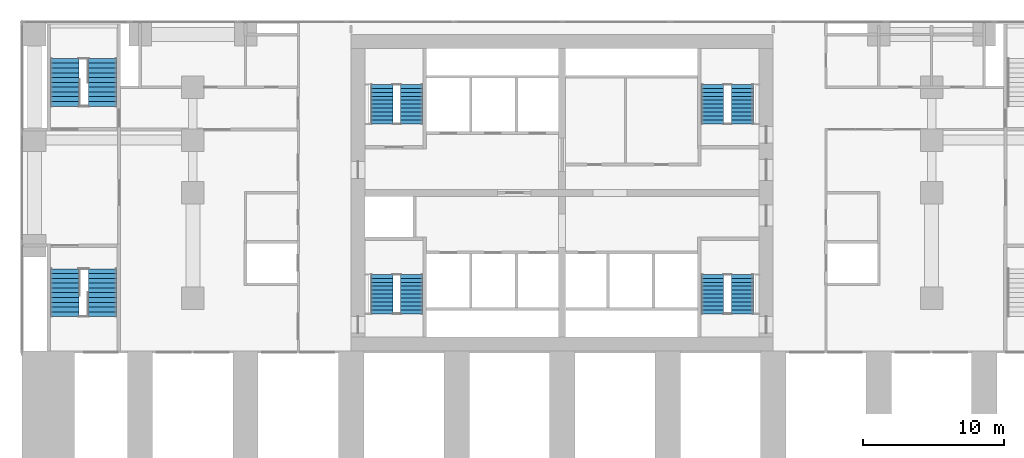
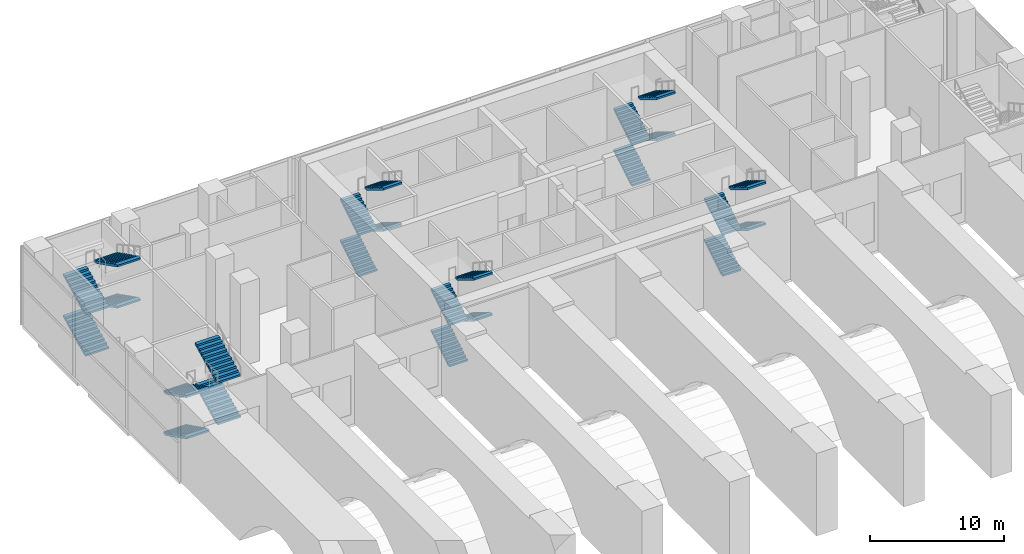
# One storey, part 9 of 15: 24 stair flights, 6 elements without a shape of their own.
"""IFC4 building model written with IfcOpenShell, lengths in metres."""

import ifcopenshell
import ifcopenshell.guid

model = None  # the IFC model being written
_history = None  # IfcOwnerHistory: only IFC2X3 demands one
_inside = {}  # id of a spatial element -> (the spatial element, [elements in it])
_under = {}  # id of a project, library or spatial element -> (it, [spatial elements below it])
_declared = {}  # id of a project -> (the project, [libraries it declares])
_typed = {}  # id of a type object -> (the type object, [elements of that type])
_made_of = {}  # id of a material, layer set ... -> (it, [elements and type objects made of it])


def new_model(schema):
    """Start an empty IFC model of exactly this schema.

    Asked for "IFC4X3", IfcOpenShell would pick the latest addendum, in which some entities
    have other attributes; the version numbers below select the first issue.
    IFC2X3 requires an IfcOwnerHistory on every rooted entity: one is made here for all.
    """
    global model, _history
    if schema == "IFC4X3":
        model = ifcopenshell.file(schema_version=(4, 3, 0, 0))
    else:
        model = ifcopenshell.file(schema=schema)
    _inside.clear()
    _under.clear()
    _declared.clear()
    _typed.clear()
    _made_of.clear()
    _history = None
    if model.schema == "IFC2X3":
        org = make("IfcOrganization", Name="unknown")
        user = make(
            "IfcPersonAndOrganization",
            ThePerson=make("IfcPerson", FamilyName="unknown"),
            TheOrganization=org,
        )
        app = make(
            "IfcApplication",
            ApplicationDeveloper=org,
            Version="unknown",
            ApplicationFullName="unknown",
            ApplicationIdentifier="unknown",
        )
        _history = make(
            "IfcOwnerHistory",
            OwningUser=user,
            OwningApplication=app,
            ChangeAction="ADDED",
            CreationDate=0,
        )
    return model


def make(cls, **values):
    """One entity of the class cls with the attributes given. An attribute that is None is left unset."""
    return model.create_entity(
        cls, **{name: value for name, value in values.items() if value is not None}
    )


def rooted(cls, **values):
    """An entity with a GlobalId (a new one), such as an element, a storey or a relation."""
    return make(cls, GlobalId=ifcopenshell.guid.new(), OwnerHistory=_history, **values)


def si_unit(unit_type, name, prefix=None):
    """IfcSIUnit, for example si_unit("LENGTHUNIT", "METRE", prefix="MILLI")."""
    return make("IfcSIUnit", UnitType=unit_type, Prefix=prefix, Name=name)


def assignment(units):
    """IfcUnitAssignment: the units of a project."""
    return None if units is None else make("IfcUnitAssignment", Units=units)


def point(xyz):
    """IfcCartesianPoint."""
    return None if xyz is None else make("IfcCartesianPoint", Coordinates=xyz)


def direction(xyz):
    """IfcDirection."""
    return None if xyz is None else make("IfcDirection", DirectionRatios=xyz)


def frame(location, z_axis=None, x_axis=None):
    """IfcAxis2Placement3D, a coordinate frame: its origin and axes. An axis left out is left unset."""
    return make(
        "IfcAxis2Placement3D",
        Location=point(location),
        Axis=direction(z_axis),
        RefDirection=direction(x_axis),
    )


def origin():
    """The frame at (0, 0, 0) with its axes left unset."""
    return frame((0.0, 0.0, 0.0))


def place(relative_to, where):
    """IfcLocalPlacement: puts the frame where relative to a parent placement (None: the world)."""
    return make(
        "IfcLocalPlacement", PlacementRelTo=relative_to, RelativePlacement=where
    )


def context(
    kind, dimensions, precision=None, world=None, true_north=None, identifier=None
):
    """IfcGeometricRepresentationContext, for example the 3D "Model" context."""
    return make(
        "IfcGeometricRepresentationContext",
        ContextIdentifier=identifier,
        ContextType=kind,
        CoordinateSpaceDimension=dimensions,
        Precision=precision,
        WorldCoordinateSystem=world,
        TrueNorth=true_north,
    )


def subcontext(parent, identifier, kind, view, scale=None):
    """IfcGeometricRepresentationSubContext, for example "Body" below "Model"."""
    return make(
        "IfcGeometricRepresentationSubContext",
        ContextIdentifier=identifier,
        ContextType=kind,
        ParentContext=parent,
        TargetScale=scale,
        TargetView=view,
    )


def project(units=None, contexts=None):
    """IfcProject with its units and contexts."""
    return rooted(
        "IfcProject",
        Name="project",
        RepresentationContexts=contexts,
        UnitsInContext=assignment(units),
    )


def spatial(cls, under=None, at=None, **own):
    """A site, building, storey or space (cls), placed at a placement, below another one or the project."""
    s = rooted(cls, ObjectPlacement=at, **own)
    if under is not None:
        _under.setdefault(under.id(), (under, []))[1].append(s)
    return s


def polyline(points):
    """IfcPolyline through the points."""
    return make("IfcPolyline", Points=[point(p) for p in points])


def outline(outer, holes=None, kind="AREA"):
    """IfcArbitraryClosedProfileDef: a profile drawn as a closed curve; with holes, ...WithVoids."""
    if holes is None:
        return make("IfcArbitraryClosedProfileDef", ProfileType=kind, OuterCurve=outer)
    return make(
        "IfcArbitraryProfileDefWithVoids",
        ProfileType=kind,
        OuterCurve=outer,
        InnerCurves=holes,
    )


def extrude(swept, where, along, depth):
    """IfcExtrudedAreaSolid: the profile swept, set in the frame where, extruded along a direction by depth."""
    return make(
        "IfcExtrudedAreaSolid",
        SweptArea=swept,
        Position=where,
        ExtrudedDirection=direction(along),
        Depth=depth,
    )


def shape(context_of_items, identifier, shape_type, items):
    """IfcShapeRepresentation: the items that make up one representation, for example the "Body"."""
    return make(
        "IfcShapeRepresentation",
        ContextOfItems=context_of_items,
        RepresentationIdentifier=identifier,
        RepresentationType=shape_type,
        Items=items,
    )


def material(Name=None, Category=None):
    """IfcMaterial."""
    return make("IfcMaterial", Name=Name, Category=Category)


def made_of(thing, what):
    """Note that an element or type object is made of a material, layer set ...; save() writes the relation."""
    if what is not None:
        _made_of.setdefault(what.id(), (what, []))[1].append(thing)
    return thing


def type_object(cls, material=None, **own):
    """A type object (cls), such as IfcWallType, which elements share."""
    return made_of(rooted(cls, **own), material)


def element(
    cls,
    number,
    at=None,
    inside=None,
    cuts=None,
    type_object=None,
    material=None,
    context=None,
    identifier="Body",
    shape_type=None,
    held_by="IfcProductDefinitionShape",
    body=None,
    shapes=None,
    **own,
):
    """One element of the class cls, such as IfcWall. Its Tag is "e" and its number.

    at: its placement. inside: the storey or other place that contains it. cuts: it is an
    opening in that element (IfcRelVoidsElement). A single representation is given by context,
    identifier, shape_type and body (its items); several are given by shapes. held_by: the class
    of the entity that holds the representations. save() writes the other relations.
    """
    e = rooted(cls, Tag="e%d" % number, ObjectPlacement=at, **own)
    if body is not None:
        shapes = [shape(context, identifier, shape_type, body)]
    if shapes is not None:
        e.Representation = make(held_by, Representations=shapes)
    if inside is not None:
        _inside.setdefault(inside.id(), (inside, []))[1].append(e)
    if cuts is not None:
        rooted(
            "IfcRelVoidsElement", RelatingBuildingElement=cuts, RelatedOpeningElement=e
        )
    if type_object is not None:
        _typed.setdefault(type_object.id(), (type_object, []))[1].append(e)
    return made_of(e, material)


def aggregate(whole, parts):
    """IfcRelAggregates: a whole, such as a stair, and the parts it consists of."""
    return rooted("IfcRelAggregates", RelatingObject=whole, RelatedObjects=parts)


def save(model, path):
    """Write the relations noted so far, then the file.

    IfcRelAggregates (storeys below a building ...), IfcRelContainedInSpatialStructure (elements
    in a storey), IfcRelDefinesByType, IfcRelAssociatesMaterial and IfcRelDeclares: one each for
    every whole, place, type object, material and project.
    """
    for whole, parts in _under.values():
        aggregate(whole, parts)
    for where, things in _inside.values():
        rooted(
            "IfcRelContainedInSpatialStructure",
            RelatedElements=things,
            RelatingStructure=where,
        )
    for kind, things in _typed.values():
        rooted("IfcRelDefinesByType", RelatedObjects=things, RelatingType=kind)
    for what, things in _made_of.values():
        rooted("IfcRelAssociatesMaterial", RelatedObjects=things, RelatingMaterial=what)
    for by, libraries in _declared.values():
        rooted("IfcRelDeclares", RelatingContext=by, RelatedDefinitions=libraries)
    model.write(path)


model = new_model("IFC4")

# Units and contexts
model_context = context("Model", 3, precision=1e-05, world=origin(), true_north=direction((0.0, 1.0)))
body_context = subcontext(model_context, "Body", "Model", "MODEL_VIEW")
ifc_project = project(units=[si_unit("LENGTHUNIT", "METRE"), si_unit("AREAUNIT", "SQUARE_METRE"), si_unit("VOLUMEUNIT", "CUBIC_METRE"), si_unit("PLANEANGLEUNIT", "RADIAN"), si_unit("MASSUNIT", "GRAM", prefix="KILO")], contexts=[model_context])

# Site, building, storey
site_placement = place(None, origin())
site = spatial("IfcSite", under=ifc_project, at=site_placement, CompositionType="ELEMENT")
building_placement = place(site_placement, origin())
building = spatial("IfcBuilding", under=site, at=building_placement, Name="Pilkhan Gate Tower", CompositionType="ELEMENT")
storey_placement = place(building_placement, frame((0.0, 0.0, 16.5)))
storey = spatial("IfcBuildingStorey", under=building, at=storey_placement, Name="L02", CompositionType="ELEMENT", Elevation=16.5)

# Stair, stair flights
ifc_material = material(Name="Concrete C40/50 precast", Category="concrete")
stair_type_1 = type_object("IfcStairType", Name="Stair PS1 170x340", PredefinedType="HALF_TURN_STAIR", material=ifc_material)
stair_1_placement = place(storey_placement, origin())
stair_1 = element("IfcStair", 1, at=stair_1_placement, inside=storey, type_object=stair_type_1, Name="Stair PS1 L02", PredefinedType="HALF_TURN_STAIR")
stair_flight_type_1 = type_object("IfcStairFlightType", Name="Stair flight PS1 170x340x11", PredefinedType="STRAIGHT", material=ifc_material)
stair_flight_1_placement = place(storey_placement, frame((39.64990234375, 88.64990234375, 0.0), z_axis=(0.0, 0.0, 1.0), x_axis=(0.0, 1.0, 0.0)))
stair_flight_1 = element("IfcStairFlight", 2, at=stair_flight_1_placement, type_object=stair_flight_type_1, Name="PS1 flight 1", NumberOfRisers=11, NumberOfTreads=10, PredefinedType="STRAIGHT", RiserHeight=0.170454545, TreadLength=0.34, context=body_context, shape_type="SweptSolid", body=[
    extrude(outline(polyline([(0.0, 0.0), (0.0, 0.17041015625), (0.340087890625, 0.17041015625), (0.340087890625, 0.3408203125), (0.679931640625, 0.3408203125), (0.679931640625, 0.511474609375), (1.02001953125, 0.511474609375), (1.02001953125, 0.681884765625), (1.360107421875, 0.681884765625), (1.360107421875, 0.852294921875), (1.699951171875, 0.852294921875), (1.699951171875, 1.022705078125), (2.0400390625, 1.022705078125), (2.0400390625, 1.193115234375), (2.3798828125, 1.193115234375), (2.3798828125, 1.363525390625), (2.719970703125, 1.363525390625), (2.719970703125, 1.5341796875), (3.06005859375, 1.5341796875), (3.06005859375, 1.70458984375), (3.39990234375, 1.70458984375), (3.39990234375, 1.875), (3.39990234375, 1.536865234375), (0.33447265625, 0.0), (0.0, 0.0)])), frame((0.0, 1.0, 0.0), z_axis=(0.0, -1.0, 0.0), x_axis=(1.0, 0.0, 0.0)), (0.0, 0.0, 1.0), 2.0),
])
stair_flight_2_placement = place(storey_placement, frame((42.35009765625, 92.050048828125, 1.875), z_axis=(0.0, 0.0, 1.0), x_axis=(0.0, -1.0, 0.0)))
stair_flight_2 = element("IfcStairFlight", 3, at=stair_flight_2_placement, type_object=stair_flight_type_1, Name="PS1 flight 2", NumberOfRisers=11, NumberOfTreads=10, PredefinedType="STRAIGHT", RiserHeight=0.170454545, TreadLength=0.34, context=body_context, shape_type="SweptSolid", body=[
    extrude(outline(polyline([(0.0, 0.0), (0.0, 0.17041015625), (0.340087890625, 0.17041015625), (0.340087890625, 0.3408203125), (0.679931640625, 0.3408203125), (0.679931640625, 0.511474609375), (1.02001953125, 0.511474609375), (1.02001953125, 0.681884765625), (1.360107421875, 0.681884765625), (1.360107421875, 0.852294921875), (1.699951171875, 0.852294921875), (1.699951171875, 1.022705078125), (2.0400390625, 1.022705078125), (2.0400390625, 1.193115234375), (2.3798828125, 1.193115234375), (2.3798828125, 1.363525390625), (2.719970703125, 1.363525390625), (2.719970703125, 1.5341796875), (3.06005859375, 1.5341796875), (3.06005859375, 1.70458984375), (3.39990234375, 1.70458984375), (3.39990234375, 1.875), (3.39990234375, 1.536865234375), (0.33447265625, 0.0), (0.0, 0.0)])), frame((0.0, 1.0, 0.0), z_axis=(0.0, -1.0, 0.0), x_axis=(1.0, 0.0, 0.0)), (0.0, 0.0, 1.0), 2.0),
])
stair_flight_3_placement = place(storey_placement, frame((39.64990234375, 88.64990234375, 3.75), z_axis=(0.0, 0.0, 1.0), x_axis=(0.0, 1.0, 0.0)))
stair_flight_3 = element("IfcStairFlight", 4, at=stair_flight_3_placement, type_object=stair_flight_type_1, Name="PS1 flight 3", NumberOfRisers=11, NumberOfTreads=10, PredefinedType="STRAIGHT", RiserHeight=0.170454545, TreadLength=0.34, context=body_context, shape_type="SweptSolid", body=[
    extrude(outline(polyline([(0.0, 0.0), (0.0, 0.17041015625), (0.340087890625, 0.17041015625), (0.340087890625, 0.3408203125), (0.679931640625, 0.3408203125), (0.679931640625, 0.511474609375), (1.02001953125, 0.511474609375), (1.02001953125, 0.681884765625), (1.360107421875, 0.681884765625), (1.360107421875, 0.852294921875), (1.699951171875, 0.852294921875), (1.699951171875, 1.022705078125), (2.0400390625, 1.022705078125), (2.0400390625, 1.193115234375), (2.3798828125, 1.193115234375), (2.3798828125, 1.363525390625), (2.719970703125, 1.363525390625), (2.719970703125, 1.5341796875), (3.06005859375, 1.5341796875), (3.06005859375, 1.70458984375), (3.39990234375, 1.70458984375), (3.39990234375, 1.875), (3.39990234375, 1.536865234375), (0.33447265625, 0.0), (0.0, 0.0)])), frame((0.0, 1.0, 0.0), z_axis=(0.0, -1.0, 0.0), x_axis=(1.0, 0.0, 0.0)), (0.0, 0.0, 1.0), 2.0),
])
stair_flight_4_placement = place(storey_placement, frame((42.35009765625, 92.050048828125, 5.625), z_axis=(0.0, 0.0, 1.0), x_axis=(0.0, -1.0, 0.0)))
stair_flight_4 = element("IfcStairFlight", 5, at=stair_flight_4_placement, type_object=stair_flight_type_1, Name="PS1 flight 4", NumberOfRisers=11, NumberOfTreads=10, PredefinedType="STRAIGHT", RiserHeight=0.170454545, TreadLength=0.34, context=body_context, shape_type="SweptSolid", body=[
    extrude(outline(polyline([(0.0, 0.0), (0.0, 0.17041015625), (0.340087890625, 0.17041015625), (0.340087890625, 0.3408203125), (0.679931640625, 0.3408203125), (0.679931640625, 0.511474609375), (1.02001953125, 0.511474609375), (1.02001953125, 0.681884765625), (1.360107421875, 0.681884765625), (1.360107421875, 0.852294921875), (1.699951171875, 0.852294921875), (1.699951171875, 1.022705078125), (2.0400390625, 1.022705078125), (2.0400390625, 1.193115234375), (2.3798828125, 1.193115234375), (2.3798828125, 1.363525390625), (2.719970703125, 1.363525390625), (2.719970703125, 1.5341796875), (3.06005859375, 1.5341796875), (3.06005859375, 1.70458984375), (3.39990234375, 1.70458984375), (3.39990234375, 1.875), (3.39990234375, 1.536865234375), (0.33447265625, 0.0), (0.0, 0.0)])), frame((0.0, 1.0, 0.0), z_axis=(0.0, -1.0, 0.0), x_axis=(1.0, 0.0, 0.0)), (0.0, 0.0, 1.0), 2.0),
])
aggregate(stair_1, [stair_flight_1, stair_flight_2, stair_flight_3, stair_flight_4])

stair_type_2 = type_object("IfcStairType", Name="Stair PS3 170x340", PredefinedType="HALF_TURN_STAIR", material=ifc_material)
stair_2_placement = place(storey_placement, origin())
stair_2 = element("IfcStair", 6, at=stair_2_placement, inside=storey, type_object=stair_type_2, Name="Stair PS3 L02", PredefinedType="HALF_TURN_STAIR")
stair_flight_type_2 = type_object("IfcStairFlightType", Name="Stair flight PS3 170x340x11", PredefinedType="STRAIGHT", material=ifc_material)
stair_flight_5_placement = place(storey_placement, frame((39.64990234375, 77.10009765625, 0.0), z_axis=(0.0, 0.0, 1.0), x_axis=(0.0, -1.0, 0.0)))
stair_flight_5 = element("IfcStairFlight", 7, at=stair_flight_5_placement, type_object=stair_flight_type_2, Name="PS3 flight 1", NumberOfRisers=11, NumberOfTreads=10, PredefinedType="STRAIGHT", RiserHeight=0.170454545, TreadLength=0.34, context=body_context, shape_type="SweptSolid", body=[
    extrude(outline(polyline([(0.0, 0.0), (0.0, 0.17041015625), (0.340087890625, 0.17041015625), (0.340087890625, 0.3408203125), (0.679931640625, 0.3408203125), (0.679931640625, 0.511474609375), (1.02001953125, 0.511474609375), (1.02001953125, 0.681884765625), (1.360107421875, 0.681884765625), (1.360107421875, 0.852294921875), (1.699951171875, 0.852294921875), (1.699951171875, 1.022705078125), (2.0400390625, 1.022705078125), (2.0400390625, 1.193115234375), (2.3798828125, 1.193115234375), (2.3798828125, 1.363525390625), (2.719970703125, 1.363525390625), (2.719970703125, 1.5341796875), (3.06005859375, 1.5341796875), (3.06005859375, 1.70458984375), (3.39990234375, 1.70458984375), (3.39990234375, 1.875), (3.39990234375, 1.536865234375), (0.33447265625, 0.0), (0.0, 0.0)])), frame((0.0, 1.0, 0.0), z_axis=(0.0, -1.0, 0.0), x_axis=(1.0, 0.0, 0.0)), (0.0, 0.0, 1.0), 2.0),
])
stair_flight_6_placement = place(storey_placement, frame((42.35009765625, 73.699951171875, 1.875), z_axis=(0.0, 0.0, 1.0), x_axis=(0.0, 1.0, 0.0)))
stair_flight_6 = element("IfcStairFlight", 8, at=stair_flight_6_placement, type_object=stair_flight_type_2, Name="PS3 flight 2", NumberOfRisers=11, NumberOfTreads=10, PredefinedType="STRAIGHT", RiserHeight=0.170454545, TreadLength=0.34, context=body_context, shape_type="SweptSolid", body=[
    extrude(outline(polyline([(0.0, 0.0), (0.0, 0.17041015625), (0.340087890625, 0.17041015625), (0.340087890625, 0.3408203125), (0.679931640625, 0.3408203125), (0.679931640625, 0.511474609375), (1.02001953125, 0.511474609375), (1.02001953125, 0.681884765625), (1.360107421875, 0.681884765625), (1.360107421875, 0.852294921875), (1.699951171875, 0.852294921875), (1.699951171875, 1.022705078125), (2.0400390625, 1.022705078125), (2.0400390625, 1.193115234375), (2.3798828125, 1.193115234375), (2.3798828125, 1.363525390625), (2.719970703125, 1.363525390625), (2.719970703125, 1.5341796875), (3.06005859375, 1.5341796875), (3.06005859375, 1.70458984375), (3.39990234375, 1.70458984375), (3.39990234375, 1.875), (3.39990234375, 1.536865234375), (0.33447265625, 0.0), (0.0, 0.0)])), frame((0.0, 1.0, 0.0), z_axis=(0.0, -1.0, 0.0), x_axis=(1.0, 0.0, 0.0)), (0.0, 0.0, 1.0), 2.0),
])
stair_flight_7_placement = place(storey_placement, frame((39.64990234375, 77.10009765625, 3.75), z_axis=(0.0, 0.0, 1.0), x_axis=(0.0, -1.0, 0.0)))
stair_flight_7 = element("IfcStairFlight", 9, at=stair_flight_7_placement, type_object=stair_flight_type_2, Name="PS3 flight 3", NumberOfRisers=11, NumberOfTreads=10, PredefinedType="STRAIGHT", RiserHeight=0.170454545, TreadLength=0.34, context=body_context, shape_type="SweptSolid", body=[
    extrude(outline(polyline([(0.0, 0.0), (0.0, 0.17041015625), (0.340087890625, 0.17041015625), (0.340087890625, 0.3408203125), (0.679931640625, 0.3408203125), (0.679931640625, 0.511474609375), (1.02001953125, 0.511474609375), (1.02001953125, 0.681884765625), (1.360107421875, 0.681884765625), (1.360107421875, 0.852294921875), (1.699951171875, 0.852294921875), (1.699951171875, 1.022705078125), (2.0400390625, 1.022705078125), (2.0400390625, 1.193115234375), (2.3798828125, 1.193115234375), (2.3798828125, 1.363525390625), (2.719970703125, 1.363525390625), (2.719970703125, 1.5341796875), (3.06005859375, 1.5341796875), (3.06005859375, 1.70458984375), (3.39990234375, 1.70458984375), (3.39990234375, 1.875), (3.39990234375, 1.536865234375), (0.33447265625, 0.0), (0.0, 0.0)])), frame((0.0, 1.0, 0.0), z_axis=(0.0, -1.0, 0.0), x_axis=(1.0, 0.0, 0.0)), (0.0, 0.0, 1.0), 2.0),
])
stair_flight_8_placement = place(storey_placement, frame((42.35009765625, 73.699951171875, 5.625), z_axis=(0.0, 0.0, 1.0), x_axis=(0.0, 1.0, 0.0)))
stair_flight_8 = element("IfcStairFlight", 10, at=stair_flight_8_placement, type_object=stair_flight_type_2, Name="PS3 flight 4", NumberOfRisers=11, NumberOfTreads=10, PredefinedType="STRAIGHT", RiserHeight=0.170454545, TreadLength=0.34, context=body_context, shape_type="SweptSolid", body=[
    extrude(outline(polyline([(0.0, 0.0), (0.0, 0.17041015625), (0.340087890625, 0.17041015625), (0.340087890625, 0.3408203125), (0.679931640625, 0.3408203125), (0.679931640625, 0.511474609375), (1.02001953125, 0.511474609375), (1.02001953125, 0.681884765625), (1.360107421875, 0.681884765625), (1.360107421875, 0.852294921875), (1.699951171875, 0.852294921875), (1.699951171875, 1.022705078125), (2.0400390625, 1.022705078125), (2.0400390625, 1.193115234375), (2.3798828125, 1.193115234375), (2.3798828125, 1.363525390625), (2.719970703125, 1.363525390625), (2.719970703125, 1.5341796875), (3.06005859375, 1.5341796875), (3.06005859375, 1.70458984375), (3.39990234375, 1.70458984375), (3.39990234375, 1.875), (3.39990234375, 1.536865234375), (0.33447265625, 0.0), (0.0, 0.0)])), frame((0.0, 1.0, 0.0), z_axis=(0.0, -1.0, 0.0), x_axis=(1.0, 0.0, 0.0)), (0.0, 0.0, 1.0), 2.0),
])
aggregate(stair_2, [stair_flight_5, stair_flight_6, stair_flight_7, stair_flight_8])

stair_type_3 = type_object("IfcStairType", Name="Stair ST1 170x280", PredefinedType="HALF_TURN_STAIR", material=ifc_material)
stair_3_placement = place(storey_placement, origin())
stair_3 = element("IfcStair", 11, at=stair_3_placement, inside=storey, type_object=stair_type_3, Name="Stair ST1 L02", PredefinedType="HALF_TURN_STAIR")
stair_flight_type_3 = type_object("IfcStairFlightType", Name="Stair flight ST1 170x280x11", PredefinedType="STRAIGHT", material=ifc_material)
stair_flight_9_placement = place(storey_placement, frame((85.68994140625, 73.89990234375, 0.0), z_axis=(0.0, 0.0, 1.0), x_axis=(0.0, 1.0, 0.0)))
stair_flight_9 = element("IfcStairFlight", 12, at=stair_flight_9_placement, type_object=stair_flight_type_3, Name="ST1 flight 1", NumberOfRisers=11, NumberOfTreads=10, PredefinedType="STRAIGHT", RiserHeight=0.170454545, TreadLength=0.28, context=body_context, shape_type="SweptSolid", body=[
    extrude(outline(polyline([(0.0, 0.0), (0.0, 0.17041015625), (0.280029296875, 0.17041015625), (0.280029296875, 0.3408203125), (0.56005859375, 0.3408203125), (0.56005859375, 0.511474609375), (0.840087890625, 0.511474609375), (0.840087890625, 0.681884765625), (1.1201171875, 0.681884765625), (1.1201171875, 0.852294921875), (1.39990234375, 0.852294921875), (1.39990234375, 1.022705078125), (1.679931640625, 1.022705078125), (1.679931640625, 1.193115234375), (1.9599609375, 1.193115234375), (1.9599609375, 1.363525390625), (2.239990234375, 1.363525390625), (2.239990234375, 1.5341796875), (2.52001953125, 1.5341796875), (2.52001953125, 1.70458984375), (2.800048828125, 1.70458984375), (2.800048828125, 1.875), (2.800048828125, 1.529052734375), (0.288330078125, 0.0), (0.0, 0.0)])), frame((0.0, 0.7900390625, 0.0), z_axis=(0.0, -1.0, 0.0), x_axis=(1.0, 0.0, 0.0)), (0.0, 0.0, 1.0), 1.580078125),
])
stair_flight_10_placement = place(storey_placement, frame((87.81005859375, 76.699951171875, 1.875), z_axis=(0.0, 0.0, 1.0), x_axis=(0.0, -1.0, 0.0)))
stair_flight_10 = element("IfcStairFlight", 13, at=stair_flight_10_placement, type_object=stair_flight_type_3, Name="ST1 flight 2", NumberOfRisers=11, NumberOfTreads=10, PredefinedType="STRAIGHT", RiserHeight=0.170454545, TreadLength=0.28, context=body_context, shape_type="SweptSolid", body=[
    extrude(outline(polyline([(0.0, 0.0), (0.0, 0.17041015625), (0.280029296875, 0.17041015625), (0.280029296875, 0.3408203125), (0.56005859375, 0.3408203125), (0.56005859375, 0.511474609375), (0.840087890625, 0.511474609375), (0.840087890625, 0.681884765625), (1.1201171875, 0.681884765625), (1.1201171875, 0.852294921875), (1.39990234375, 0.852294921875), (1.39990234375, 1.022705078125), (1.679931640625, 1.022705078125), (1.679931640625, 1.193115234375), (1.9599609375, 1.193115234375), (1.9599609375, 1.363525390625), (2.239990234375, 1.363525390625), (2.239990234375, 1.5341796875), (2.52001953125, 1.5341796875), (2.52001953125, 1.70458984375), (2.800048828125, 1.70458984375), (2.800048828125, 1.875), (2.800048828125, 1.529052734375), (0.288330078125, 0.0), (0.0, 0.0)])), frame((0.0, 0.7900390625, 0.0), z_axis=(0.0, -1.0, 0.0), x_axis=(1.0, 0.0, 0.0)), (0.0, 0.0, 1.0), 1.580078125),
])
stair_flight_11_placement = place(storey_placement, frame((85.68994140625, 73.89990234375, 3.75), z_axis=(0.0, 0.0, 1.0), x_axis=(0.0, 1.0, 0.0)))
stair_flight_11 = element("IfcStairFlight", 14, at=stair_flight_11_placement, type_object=stair_flight_type_3, Name="ST1 flight 3", NumberOfRisers=11, NumberOfTreads=10, PredefinedType="STRAIGHT", RiserHeight=0.170454545, TreadLength=0.28, context=body_context, shape_type="SweptSolid", body=[
    extrude(outline(polyline([(0.0, 0.0), (0.0, 0.17041015625), (0.280029296875, 0.17041015625), (0.280029296875, 0.3408203125), (0.56005859375, 0.3408203125), (0.56005859375, 0.511474609375), (0.840087890625, 0.511474609375), (0.840087890625, 0.681884765625), (1.1201171875, 0.681884765625), (1.1201171875, 0.852294921875), (1.39990234375, 0.852294921875), (1.39990234375, 1.022705078125), (1.679931640625, 1.022705078125), (1.679931640625, 1.193115234375), (1.9599609375, 1.193115234375), (1.9599609375, 1.363525390625), (2.239990234375, 1.363525390625), (2.239990234375, 1.5341796875), (2.52001953125, 1.5341796875), (2.52001953125, 1.70458984375), (2.800048828125, 1.70458984375), (2.800048828125, 1.875), (2.800048828125, 1.529052734375), (0.288330078125, 0.0), (0.0, 0.0)])), frame((0.0, 0.7900390625, 0.0), z_axis=(0.0, -1.0, 0.0), x_axis=(1.0, 0.0, 0.0)), (0.0, 0.0, 1.0), 1.580078125),
])
stair_flight_12_placement = place(storey_placement, frame((87.81005859375, 76.699951171875, 5.625), z_axis=(0.0, 0.0, 1.0), x_axis=(0.0, -1.0, 0.0)))
stair_flight_12 = element("IfcStairFlight", 15, at=stair_flight_12_placement, type_object=stair_flight_type_3, Name="ST1 flight 4", NumberOfRisers=11, NumberOfTreads=10, PredefinedType="STRAIGHT", RiserHeight=0.170454545, TreadLength=0.28, context=body_context, shape_type="SweptSolid", body=[
    extrude(outline(polyline([(0.0, 0.0), (0.0, 0.17041015625), (0.280029296875, 0.17041015625), (0.280029296875, 0.3408203125), (0.56005859375, 0.3408203125), (0.56005859375, 0.511474609375), (0.840087890625, 0.511474609375), (0.840087890625, 0.681884765625), (1.1201171875, 0.681884765625), (1.1201171875, 0.852294921875), (1.39990234375, 0.852294921875), (1.39990234375, 1.022705078125), (1.679931640625, 1.022705078125), (1.679931640625, 1.193115234375), (1.9599609375, 1.193115234375), (1.9599609375, 1.363525390625), (2.239990234375, 1.363525390625), (2.239990234375, 1.5341796875), (2.52001953125, 1.5341796875), (2.52001953125, 1.70458984375), (2.800048828125, 1.70458984375), (2.800048828125, 1.875), (2.800048828125, 1.529052734375), (0.288330078125, 0.0), (0.0, 0.0)])), frame((0.0, 0.7900390625, 0.0), z_axis=(0.0, -1.0, 0.0), x_axis=(1.0, 0.0, 0.0)), (0.0, 0.0, 1.0), 1.580078125),
])
aggregate(stair_3, [stair_flight_9, stair_flight_10, stair_flight_11, stair_flight_12])

stair_type_4 = type_object("IfcStairType", Name="Stair ST2 170x280", PredefinedType="HALF_TURN_STAIR", material=ifc_material)
stair_4_placement = place(storey_placement, origin())
stair_4 = element("IfcStair", 16, at=stair_4_placement, inside=storey, type_object=stair_type_4, Name="Stair ST2 L02", PredefinedType="HALF_TURN_STAIR")
stair_flight_type_4 = type_object("IfcStairFlightType", Name="Stair flight ST2 170x280x11", PredefinedType="STRAIGHT", material=ifc_material)
stair_flight_13_placement = place(storey_placement, frame((62.18994140625, 73.89990234375, 0.0), z_axis=(0.0, 0.0, 1.0), x_axis=(0.0, 1.0, 0.0)))
stair_flight_13 = element("IfcStairFlight", 17, at=stair_flight_13_placement, type_object=stair_flight_type_4, Name="ST2 flight 1", NumberOfRisers=11, NumberOfTreads=10, PredefinedType="STRAIGHT", RiserHeight=0.170454545, TreadLength=0.28, context=body_context, shape_type="SweptSolid", body=[
    extrude(outline(polyline([(0.0, 0.0), (0.0, 0.17041015625), (0.280029296875, 0.17041015625), (0.280029296875, 0.3408203125), (0.56005859375, 0.3408203125), (0.56005859375, 0.511474609375), (0.840087890625, 0.511474609375), (0.840087890625, 0.681884765625), (1.1201171875, 0.681884765625), (1.1201171875, 0.852294921875), (1.39990234375, 0.852294921875), (1.39990234375, 1.022705078125), (1.679931640625, 1.022705078125), (1.679931640625, 1.193115234375), (1.9599609375, 1.193115234375), (1.9599609375, 1.363525390625), (2.239990234375, 1.363525390625), (2.239990234375, 1.5341796875), (2.52001953125, 1.5341796875), (2.52001953125, 1.70458984375), (2.800048828125, 1.70458984375), (2.800048828125, 1.875), (2.800048828125, 1.529052734375), (0.288330078125, 0.0), (0.0, 0.0)])), frame((0.0, 0.7900390625, 0.0), z_axis=(0.0, -1.0, 0.0), x_axis=(1.0, 0.0, 0.0)), (0.0, 0.0, 1.0), 1.580078125),
])
stair_flight_14_placement = place(storey_placement, frame((64.31005859375, 76.699951171875, 1.875), z_axis=(0.0, 0.0, 1.0), x_axis=(0.0, -1.0, 0.0)))
stair_flight_14 = element("IfcStairFlight", 18, at=stair_flight_14_placement, type_object=stair_flight_type_4, Name="ST2 flight 2", NumberOfRisers=11, NumberOfTreads=10, PredefinedType="STRAIGHT", RiserHeight=0.170454545, TreadLength=0.28, context=body_context, shape_type="SweptSolid", body=[
    extrude(outline(polyline([(0.0, 0.0), (0.0, 0.17041015625), (0.280029296875, 0.17041015625), (0.280029296875, 0.3408203125), (0.56005859375, 0.3408203125), (0.56005859375, 0.511474609375), (0.840087890625, 0.511474609375), (0.840087890625, 0.681884765625), (1.1201171875, 0.681884765625), (1.1201171875, 0.852294921875), (1.39990234375, 0.852294921875), (1.39990234375, 1.022705078125), (1.679931640625, 1.022705078125), (1.679931640625, 1.193115234375), (1.9599609375, 1.193115234375), (1.9599609375, 1.363525390625), (2.239990234375, 1.363525390625), (2.239990234375, 1.5341796875), (2.52001953125, 1.5341796875), (2.52001953125, 1.70458984375), (2.800048828125, 1.70458984375), (2.800048828125, 1.875), (2.800048828125, 1.529052734375), (0.288330078125, 0.0), (0.0, 0.0)])), frame((0.0, 0.7900390625, 0.0), z_axis=(0.0, -1.0, 0.0), x_axis=(1.0, 0.0, 0.0)), (0.0, 0.0, 1.0), 1.580078125),
])
stair_flight_15_placement = place(storey_placement, frame((62.18994140625, 73.89990234375, 3.75), z_axis=(0.0, 0.0, 1.0), x_axis=(0.0, 1.0, 0.0)))
stair_flight_15 = element("IfcStairFlight", 19, at=stair_flight_15_placement, type_object=stair_flight_type_4, Name="ST2 flight 3", NumberOfRisers=11, NumberOfTreads=10, PredefinedType="STRAIGHT", RiserHeight=0.170454545, TreadLength=0.28, context=body_context, shape_type="SweptSolid", body=[
    extrude(outline(polyline([(0.0, 0.0), (0.0, 0.17041015625), (0.280029296875, 0.17041015625), (0.280029296875, 0.3408203125), (0.56005859375, 0.3408203125), (0.56005859375, 0.511474609375), (0.840087890625, 0.511474609375), (0.840087890625, 0.681884765625), (1.1201171875, 0.681884765625), (1.1201171875, 0.852294921875), (1.39990234375, 0.852294921875), (1.39990234375, 1.022705078125), (1.679931640625, 1.022705078125), (1.679931640625, 1.193115234375), (1.9599609375, 1.193115234375), (1.9599609375, 1.363525390625), (2.239990234375, 1.363525390625), (2.239990234375, 1.5341796875), (2.52001953125, 1.5341796875), (2.52001953125, 1.70458984375), (2.800048828125, 1.70458984375), (2.800048828125, 1.875), (2.800048828125, 1.529052734375), (0.288330078125, 0.0), (0.0, 0.0)])), frame((0.0, 0.7900390625, 0.0), z_axis=(0.0, -1.0, 0.0), x_axis=(1.0, 0.0, 0.0)), (0.0, 0.0, 1.0), 1.580078125),
])
stair_flight_16_placement = place(storey_placement, frame((64.31005859375, 76.699951171875, 5.625), z_axis=(0.0, 0.0, 1.0), x_axis=(0.0, -1.0, 0.0)))
stair_flight_16 = element("IfcStairFlight", 20, at=stair_flight_16_placement, type_object=stair_flight_type_4, Name="ST2 flight 4", NumberOfRisers=11, NumberOfTreads=10, PredefinedType="STRAIGHT", RiserHeight=0.170454545, TreadLength=0.28, context=body_context, shape_type="SweptSolid", body=[
    extrude(outline(polyline([(0.0, 0.0), (0.0, 0.17041015625), (0.280029296875, 0.17041015625), (0.280029296875, 0.3408203125), (0.56005859375, 0.3408203125), (0.56005859375, 0.511474609375), (0.840087890625, 0.511474609375), (0.840087890625, 0.681884765625), (1.1201171875, 0.681884765625), (1.1201171875, 0.852294921875), (1.39990234375, 0.852294921875), (1.39990234375, 1.022705078125), (1.679931640625, 1.022705078125), (1.679931640625, 1.193115234375), (1.9599609375, 1.193115234375), (1.9599609375, 1.363525390625), (2.239990234375, 1.363525390625), (2.239990234375, 1.5341796875), (2.52001953125, 1.5341796875), (2.52001953125, 1.70458984375), (2.800048828125, 1.70458984375), (2.800048828125, 1.875), (2.800048828125, 1.529052734375), (0.288330078125, 0.0), (0.0, 0.0)])), frame((0.0, 0.7900390625, 0.0), z_axis=(0.0, -1.0, 0.0), x_axis=(1.0, 0.0, 0.0)), (0.0, 0.0, 1.0), 1.580078125),
])
aggregate(stair_4, [stair_flight_13, stair_flight_14, stair_flight_15, stair_flight_16])

stair_type_5 = type_object("IfcStairType", Name="Stair ST3 170x280", PredefinedType="HALF_TURN_STAIR", material=ifc_material)
stair_5_placement = place(storey_placement, origin())
stair_5 = element("IfcStair", 21, at=stair_5_placement, inside=storey, type_object=stair_type_5, Name="Stair ST3 L02", PredefinedType="HALF_TURN_STAIR")
stair_flight_type_5 = type_object("IfcStairFlightType", Name="Stair flight ST3 170x280x11", PredefinedType="STRAIGHT", material=ifc_material)
stair_flight_17_placement = place(storey_placement, frame((62.18994140625, 87.39990234375, 0.0), z_axis=(0.0, 0.0, 1.0), x_axis=(0.0, 1.0, 0.0)))
stair_flight_17 = element("IfcStairFlight", 22, at=stair_flight_17_placement, type_object=stair_flight_type_5, Name="ST3 flight 1", NumberOfRisers=11, NumberOfTreads=10, PredefinedType="STRAIGHT", RiserHeight=0.170454545, TreadLength=0.28, context=body_context, shape_type="SweptSolid", body=[
    extrude(outline(polyline([(0.0, 0.0), (0.0, 0.17041015625), (0.280029296875, 0.17041015625), (0.280029296875, 0.3408203125), (0.56005859375, 0.3408203125), (0.56005859375, 0.511474609375), (0.840087890625, 0.511474609375), (0.840087890625, 0.681884765625), (1.1201171875, 0.681884765625), (1.1201171875, 0.852294921875), (1.39990234375, 0.852294921875), (1.39990234375, 1.022705078125), (1.679931640625, 1.022705078125), (1.679931640625, 1.193115234375), (1.9599609375, 1.193115234375), (1.9599609375, 1.363525390625), (2.239990234375, 1.363525390625), (2.239990234375, 1.5341796875), (2.52001953125, 1.5341796875), (2.52001953125, 1.70458984375), (2.800048828125, 1.70458984375), (2.800048828125, 1.875), (2.800048828125, 1.529052734375), (0.288330078125, 0.0), (0.0, 0.0)])), frame((0.0, 0.7900390625, 0.0), z_axis=(0.0, -1.0, 0.0), x_axis=(1.0, 0.0, 0.0)), (0.0, 0.0, 1.0), 1.580078125),
])
stair_flight_18_placement = place(storey_placement, frame((64.31005859375, 90.199951171875, 1.875), z_axis=(0.0, 0.0, 1.0), x_axis=(0.0, -1.0, 0.0)))
stair_flight_18 = element("IfcStairFlight", 23, at=stair_flight_18_placement, type_object=stair_flight_type_5, Name="ST3 flight 2", NumberOfRisers=11, NumberOfTreads=10, PredefinedType="STRAIGHT", RiserHeight=0.170454545, TreadLength=0.28, context=body_context, shape_type="SweptSolid", body=[
    extrude(outline(polyline([(0.0, 0.0), (0.0, 0.17041015625), (0.280029296875, 0.17041015625), (0.280029296875, 0.3408203125), (0.56005859375, 0.3408203125), (0.56005859375, 0.511474609375), (0.840087890625, 0.511474609375), (0.840087890625, 0.681884765625), (1.1201171875, 0.681884765625), (1.1201171875, 0.852294921875), (1.39990234375, 0.852294921875), (1.39990234375, 1.022705078125), (1.679931640625, 1.022705078125), (1.679931640625, 1.193115234375), (1.9599609375, 1.193115234375), (1.9599609375, 1.363525390625), (2.239990234375, 1.363525390625), (2.239990234375, 1.5341796875), (2.52001953125, 1.5341796875), (2.52001953125, 1.70458984375), (2.800048828125, 1.70458984375), (2.800048828125, 1.875), (2.800048828125, 1.529052734375), (0.288330078125, 0.0), (0.0, 0.0)])), frame((0.0, 0.7900390625, 0.0), z_axis=(0.0, -1.0, 0.0), x_axis=(1.0, 0.0, 0.0)), (0.0, 0.0, 1.0), 1.580078125),
])
stair_flight_19_placement = place(storey_placement, frame((62.18994140625, 87.39990234375, 3.75), z_axis=(0.0, 0.0, 1.0), x_axis=(0.0, 1.0, 0.0)))
stair_flight_19 = element("IfcStairFlight", 24, at=stair_flight_19_placement, type_object=stair_flight_type_5, Name="ST3 flight 3", NumberOfRisers=11, NumberOfTreads=10, PredefinedType="STRAIGHT", RiserHeight=0.170454545, TreadLength=0.28, context=body_context, shape_type="SweptSolid", body=[
    extrude(outline(polyline([(0.0, 0.0), (0.0, 0.17041015625), (0.280029296875, 0.17041015625), (0.280029296875, 0.3408203125), (0.56005859375, 0.3408203125), (0.56005859375, 0.511474609375), (0.840087890625, 0.511474609375), (0.840087890625, 0.681884765625), (1.1201171875, 0.681884765625), (1.1201171875, 0.852294921875), (1.39990234375, 0.852294921875), (1.39990234375, 1.022705078125), (1.679931640625, 1.022705078125), (1.679931640625, 1.193115234375), (1.9599609375, 1.193115234375), (1.9599609375, 1.363525390625), (2.239990234375, 1.363525390625), (2.239990234375, 1.5341796875), (2.52001953125, 1.5341796875), (2.52001953125, 1.70458984375), (2.800048828125, 1.70458984375), (2.800048828125, 1.875), (2.800048828125, 1.529052734375), (0.288330078125, 0.0), (0.0, 0.0)])), frame((0.0, 0.7900390625, 0.0), z_axis=(0.0, -1.0, 0.0), x_axis=(1.0, 0.0, 0.0)), (0.0, 0.0, 1.0), 1.580078125),
])
stair_flight_20_placement = place(storey_placement, frame((64.31005859375, 90.199951171875, 5.625), z_axis=(0.0, 0.0, 1.0), x_axis=(0.0, -1.0, 0.0)))
stair_flight_20 = element("IfcStairFlight", 25, at=stair_flight_20_placement, type_object=stair_flight_type_5, Name="ST3 flight 4", NumberOfRisers=11, NumberOfTreads=10, PredefinedType="STRAIGHT", RiserHeight=0.170454545, TreadLength=0.28, context=body_context, shape_type="SweptSolid", body=[
    extrude(outline(polyline([(0.0, 0.0), (0.0, 0.17041015625), (0.280029296875, 0.17041015625), (0.280029296875, 0.3408203125), (0.56005859375, 0.3408203125), (0.56005859375, 0.511474609375), (0.840087890625, 0.511474609375), (0.840087890625, 0.681884765625), (1.1201171875, 0.681884765625), (1.1201171875, 0.852294921875), (1.39990234375, 0.852294921875), (1.39990234375, 1.022705078125), (1.679931640625, 1.022705078125), (1.679931640625, 1.193115234375), (1.9599609375, 1.193115234375), (1.9599609375, 1.363525390625), (2.239990234375, 1.363525390625), (2.239990234375, 1.5341796875), (2.52001953125, 1.5341796875), (2.52001953125, 1.70458984375), (2.800048828125, 1.70458984375), (2.800048828125, 1.875), (2.800048828125, 1.529052734375), (0.288330078125, 0.0), (0.0, 0.0)])), frame((0.0, 0.7900390625, 0.0), z_axis=(0.0, -1.0, 0.0), x_axis=(1.0, 0.0, 0.0)), (0.0, 0.0, 1.0), 1.580078125),
])
aggregate(stair_5, [stair_flight_17, stair_flight_18, stair_flight_19, stair_flight_20])

stair_type_6 = type_object("IfcStairType", Name="Stair ST4 170x280", PredefinedType="HALF_TURN_STAIR", material=ifc_material)
stair_6_placement = place(storey_placement, origin())
stair_6 = element("IfcStair", 26, at=stair_6_placement, inside=storey, type_object=stair_type_6, Name="Stair ST4 L02", PredefinedType="HALF_TURN_STAIR")
stair_flight_type_6 = type_object("IfcStairFlightType", Name="Stair flight ST4 170x280x11", PredefinedType="STRAIGHT", material=ifc_material)
stair_flight_21_placement = place(storey_placement, frame((85.68994140625, 87.39990234375, 0.0), z_axis=(0.0, 0.0, 1.0), x_axis=(0.0, 1.0, 0.0)))
stair_flight_21 = element("IfcStairFlight", 27, at=stair_flight_21_placement, type_object=stair_flight_type_6, Name="ST4 flight 1", NumberOfRisers=11, NumberOfTreads=10, PredefinedType="STRAIGHT", RiserHeight=0.170454545, TreadLength=0.28, context=body_context, shape_type="SweptSolid", body=[
    extrude(outline(polyline([(0.0, 0.0), (0.0, 0.17041015625), (0.280029296875, 0.17041015625), (0.280029296875, 0.3408203125), (0.56005859375, 0.3408203125), (0.56005859375, 0.511474609375), (0.840087890625, 0.511474609375), (0.840087890625, 0.681884765625), (1.1201171875, 0.681884765625), (1.1201171875, 0.852294921875), (1.39990234375, 0.852294921875), (1.39990234375, 1.022705078125), (1.679931640625, 1.022705078125), (1.679931640625, 1.193115234375), (1.9599609375, 1.193115234375), (1.9599609375, 1.363525390625), (2.239990234375, 1.363525390625), (2.239990234375, 1.5341796875), (2.52001953125, 1.5341796875), (2.52001953125, 1.70458984375), (2.800048828125, 1.70458984375), (2.800048828125, 1.875), (2.800048828125, 1.529052734375), (0.288330078125, 0.0), (0.0, 0.0)])), frame((0.0, 0.7900390625, 0.0), z_axis=(0.0, -1.0, 0.0), x_axis=(1.0, 0.0, 0.0)), (0.0, 0.0, 1.0), 1.580078125),
])
stair_flight_22_placement = place(storey_placement, frame((87.81005859375, 90.199951171875, 1.875), z_axis=(0.0, 0.0, 1.0), x_axis=(0.0, -1.0, 0.0)))
stair_flight_22 = element("IfcStairFlight", 28, at=stair_flight_22_placement, type_object=stair_flight_type_6, Name="ST4 flight 2", NumberOfRisers=11, NumberOfTreads=10, PredefinedType="STRAIGHT", RiserHeight=0.170454545, TreadLength=0.28, context=body_context, shape_type="SweptSolid", body=[
    extrude(outline(polyline([(0.0, 0.0), (0.0, 0.17041015625), (0.280029296875, 0.17041015625), (0.280029296875, 0.3408203125), (0.56005859375, 0.3408203125), (0.56005859375, 0.511474609375), (0.840087890625, 0.511474609375), (0.840087890625, 0.681884765625), (1.1201171875, 0.681884765625), (1.1201171875, 0.852294921875), (1.39990234375, 0.852294921875), (1.39990234375, 1.022705078125), (1.679931640625, 1.022705078125), (1.679931640625, 1.193115234375), (1.9599609375, 1.193115234375), (1.9599609375, 1.363525390625), (2.239990234375, 1.363525390625), (2.239990234375, 1.5341796875), (2.52001953125, 1.5341796875), (2.52001953125, 1.70458984375), (2.800048828125, 1.70458984375), (2.800048828125, 1.875), (2.800048828125, 1.529052734375), (0.288330078125, 0.0), (0.0, 0.0)])), frame((0.0, 0.7900390625, 0.0), z_axis=(0.0, -1.0, 0.0), x_axis=(1.0, 0.0, 0.0)), (0.0, 0.0, 1.0), 1.580078125),
])
stair_flight_23_placement = place(storey_placement, frame((85.68994140625, 87.39990234375, 3.75), z_axis=(0.0, 0.0, 1.0), x_axis=(0.0, 1.0, 0.0)))
stair_flight_23 = element("IfcStairFlight", 29, at=stair_flight_23_placement, type_object=stair_flight_type_6, Name="ST4 flight 3", NumberOfRisers=11, NumberOfTreads=10, PredefinedType="STRAIGHT", RiserHeight=0.170454545, TreadLength=0.28, context=body_context, shape_type="SweptSolid", body=[
    extrude(outline(polyline([(0.0, 0.0), (0.0, 0.17041015625), (0.280029296875, 0.17041015625), (0.280029296875, 0.3408203125), (0.56005859375, 0.3408203125), (0.56005859375, 0.511474609375), (0.840087890625, 0.511474609375), (0.840087890625, 0.681884765625), (1.1201171875, 0.681884765625), (1.1201171875, 0.852294921875), (1.39990234375, 0.852294921875), (1.39990234375, 1.022705078125), (1.679931640625, 1.022705078125), (1.679931640625, 1.193115234375), (1.9599609375, 1.193115234375), (1.9599609375, 1.363525390625), (2.239990234375, 1.363525390625), (2.239990234375, 1.5341796875), (2.52001953125, 1.5341796875), (2.52001953125, 1.70458984375), (2.800048828125, 1.70458984375), (2.800048828125, 1.875), (2.800048828125, 1.529052734375), (0.288330078125, 0.0), (0.0, 0.0)])), frame((0.0, 0.7900390625, 0.0), z_axis=(0.0, -1.0, 0.0), x_axis=(1.0, 0.0, 0.0)), (0.0, 0.0, 1.0), 1.580078125),
])
stair_flight_24_placement = place(storey_placement, frame((87.81005859375, 90.199951171875, 5.625), z_axis=(0.0, 0.0, 1.0), x_axis=(0.0, -1.0, 0.0)))
stair_flight_24 = element("IfcStairFlight", 30, at=stair_flight_24_placement, type_object=stair_flight_type_6, Name="ST4 flight 4", NumberOfRisers=11, NumberOfTreads=10, PredefinedType="STRAIGHT", RiserHeight=0.170454545, TreadLength=0.28, context=body_context, shape_type="SweptSolid", body=[
    extrude(outline(polyline([(0.0, 0.0), (0.0, 0.17041015625), (0.280029296875, 0.17041015625), (0.280029296875, 0.3408203125), (0.56005859375, 0.3408203125), (0.56005859375, 0.511474609375), (0.840087890625, 0.511474609375), (0.840087890625, 0.681884765625), (1.1201171875, 0.681884765625), (1.1201171875, 0.852294921875), (1.39990234375, 0.852294921875), (1.39990234375, 1.022705078125), (1.679931640625, 1.022705078125), (1.679931640625, 1.193115234375), (1.9599609375, 1.193115234375), (1.9599609375, 1.363525390625), (2.239990234375, 1.363525390625), (2.239990234375, 1.5341796875), (2.52001953125, 1.5341796875), (2.52001953125, 1.70458984375), (2.800048828125, 1.70458984375), (2.800048828125, 1.875), (2.800048828125, 1.529052734375), (0.288330078125, 0.0), (0.0, 0.0)])), frame((0.0, 0.7900390625, 0.0), z_axis=(0.0, -1.0, 0.0), x_axis=(1.0, 0.0, 0.0)), (0.0, 0.0, 1.0), 1.580078125),
])
aggregate(stair_6, [stair_flight_21, stair_flight_22, stair_flight_23, stair_flight_24])

save(model, "model.ifc")
